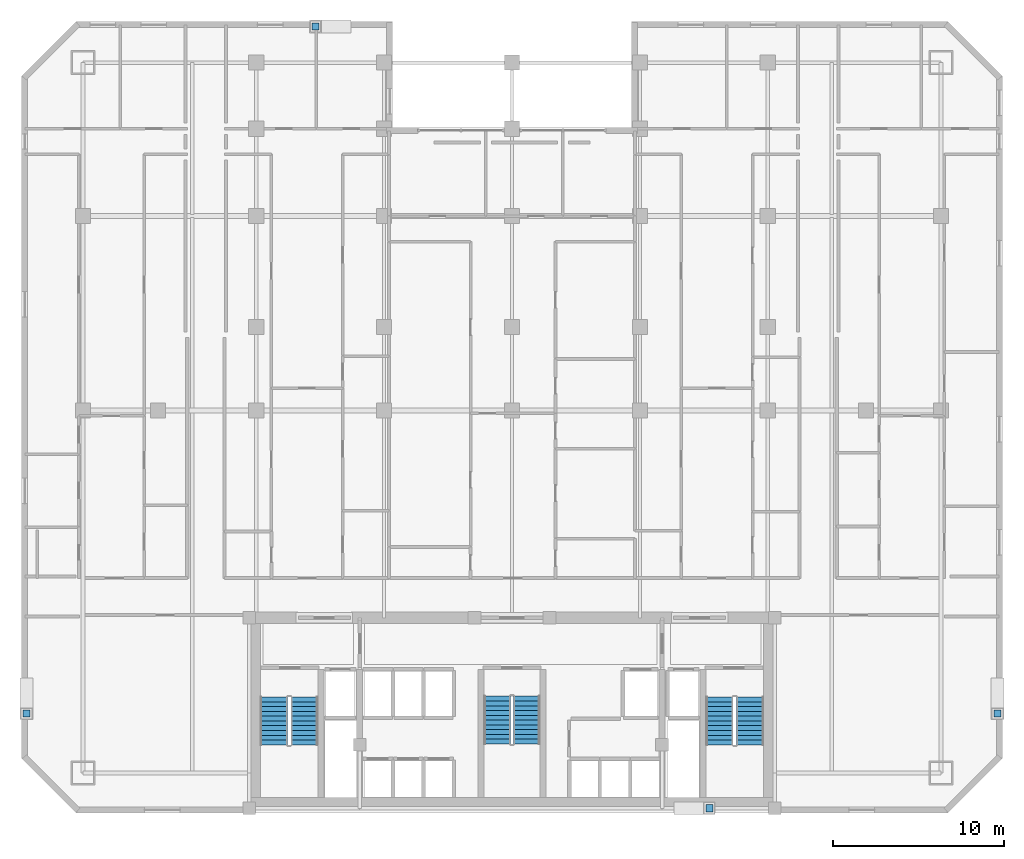
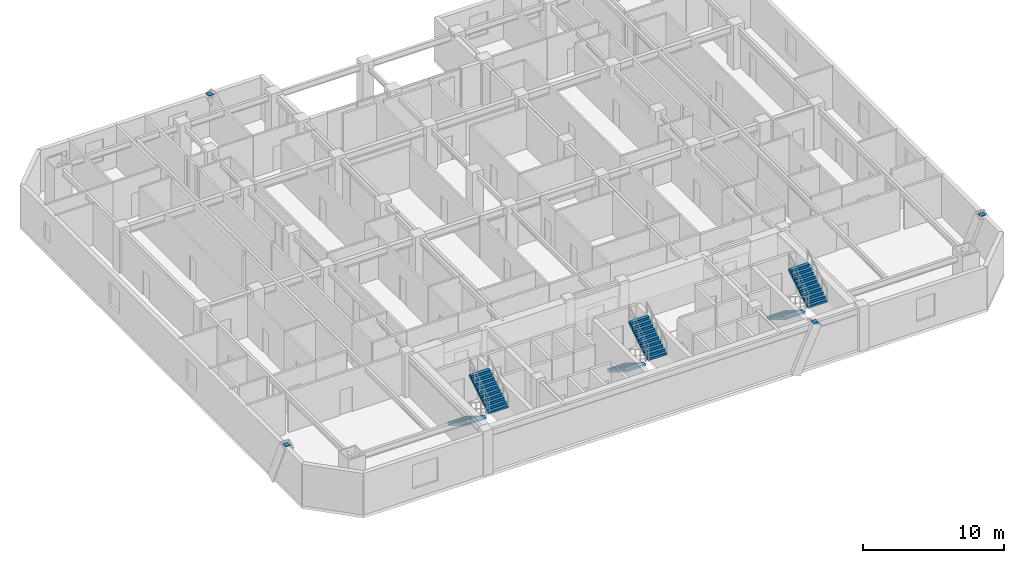
# One storey, part 13 of 14: 6 stair flights, 4 discrete accessories, 3 elements without a shape of their own.
"""IFC4 building model written with IfcOpenShell, lengths in metres."""

import ifcopenshell
import ifcopenshell.guid

model = None  # the IFC model being written
_history = None  # IfcOwnerHistory: only IFC2X3 demands one
_inside = {}  # id of a spatial element -> (the spatial element, [elements in it])
_under = {}  # id of a project, library or spatial element -> (it, [spatial elements below it])
_declared = {}  # id of a project -> (the project, [libraries it declares])
_typed = {}  # id of a type object -> (the type object, [elements of that type])
_made_of = {}  # id of a material, layer set ... -> (it, [elements and type objects made of it])


def new_model(schema):
    """Start an empty IFC model of exactly this schema.

    Asked for "IFC4X3", IfcOpenShell would pick the latest addendum, in which some entities
    have other attributes; the version numbers below select the first issue.
    IFC2X3 requires an IfcOwnerHistory on every rooted entity: one is made here for all.
    """
    global model, _history
    if schema == "IFC4X3":
        model = ifcopenshell.file(schema_version=(4, 3, 0, 0))
    else:
        model = ifcopenshell.file(schema=schema)
    _inside.clear()
    _under.clear()
    _declared.clear()
    _typed.clear()
    _made_of.clear()
    _history = None
    if model.schema == "IFC2X3":
        org = make("IfcOrganization", Name="unknown")
        user = make(
            "IfcPersonAndOrganization",
            ThePerson=make("IfcPerson", FamilyName="unknown"),
            TheOrganization=org,
        )
        app = make(
            "IfcApplication",
            ApplicationDeveloper=org,
            Version="unknown",
            ApplicationFullName="unknown",
            ApplicationIdentifier="unknown",
        )
        _history = make(
            "IfcOwnerHistory",
            OwningUser=user,
            OwningApplication=app,
            ChangeAction="ADDED",
            CreationDate=0,
        )
    return model


def make(cls, **values):
    """One entity of the class cls with the attributes given. An attribute that is None is left unset."""
    return model.create_entity(
        cls, **{name: value for name, value in values.items() if value is not None}
    )


def rooted(cls, **values):
    """An entity with a GlobalId (a new one), such as an element, a storey or a relation."""
    return make(cls, GlobalId=ifcopenshell.guid.new(), OwnerHistory=_history, **values)


def si_unit(unit_type, name, prefix=None):
    """IfcSIUnit, for example si_unit("LENGTHUNIT", "METRE", prefix="MILLI")."""
    return make("IfcSIUnit", UnitType=unit_type, Prefix=prefix, Name=name)


def assignment(units):
    """IfcUnitAssignment: the units of a project."""
    return None if units is None else make("IfcUnitAssignment", Units=units)


def point(xyz):
    """IfcCartesianPoint."""
    return None if xyz is None else make("IfcCartesianPoint", Coordinates=xyz)


def direction(xyz):
    """IfcDirection."""
    return None if xyz is None else make("IfcDirection", DirectionRatios=xyz)


def frame(location, z_axis=None, x_axis=None):
    """IfcAxis2Placement3D, a coordinate frame: its origin and axes. An axis left out is left unset."""
    return make(
        "IfcAxis2Placement3D",
        Location=point(location),
        Axis=direction(z_axis),
        RefDirection=direction(x_axis),
    )


def frame_2d(location, x_axis=None):
    """IfcAxis2Placement2D, a coordinate frame in the plane: its origin and x axis."""
    return make(
        "IfcAxis2Placement2D", Location=point(location), RefDirection=direction(x_axis)
    )


def origin():
    """The frame at (0, 0, 0) with its axes left unset."""
    return frame((0.0, 0.0, 0.0))


def origin_2d():
    """The frame at (0, 0) in the plane with its x axis left unset."""
    return frame_2d((0.0, 0.0))


def place(relative_to, where):
    """IfcLocalPlacement: puts the frame where relative to a parent placement (None: the world)."""
    return make(
        "IfcLocalPlacement", PlacementRelTo=relative_to, RelativePlacement=where
    )


def context(
    kind, dimensions, precision=None, world=None, true_north=None, identifier=None
):
    """IfcGeometricRepresentationContext, for example the 3D "Model" context."""
    return make(
        "IfcGeometricRepresentationContext",
        ContextIdentifier=identifier,
        ContextType=kind,
        CoordinateSpaceDimension=dimensions,
        Precision=precision,
        WorldCoordinateSystem=world,
        TrueNorth=true_north,
    )


def subcontext(parent, identifier, kind, view, scale=None):
    """IfcGeometricRepresentationSubContext, for example "Body" below "Model"."""
    return make(
        "IfcGeometricRepresentationSubContext",
        ContextIdentifier=identifier,
        ContextType=kind,
        ParentContext=parent,
        TargetScale=scale,
        TargetView=view,
    )


def project(units=None, contexts=None):
    """IfcProject with its units and contexts."""
    return rooted(
        "IfcProject",
        Name="project",
        RepresentationContexts=contexts,
        UnitsInContext=assignment(units),
    )


def spatial(cls, under=None, at=None, **own):
    """A site, building, storey or space (cls), placed at a placement, below another one or the project."""
    s = rooted(cls, ObjectPlacement=at, **own)
    if under is not None:
        _under.setdefault(under.id(), (under, []))[1].append(s)
    return s


def polyline(points):
    """IfcPolyline through the points."""
    return make("IfcPolyline", Points=[point(p) for p in points])


def profile(cls, at=None, kind="AREA", **sizes):
    """A parametric profile (cls). Its sizes go by their IFC names, for example OverallWidth=200.0."""
    return make(cls, ProfileType=kind, Position=at, **sizes)


def rectangle(**sizes):
    """IfcRectangleProfileDef."""
    return profile("IfcRectangleProfileDef", **sizes)


def outline(outer, holes=None, kind="AREA"):
    """IfcArbitraryClosedProfileDef: a profile drawn as a closed curve; with holes, ...WithVoids."""
    if holes is None:
        return make("IfcArbitraryClosedProfileDef", ProfileType=kind, OuterCurve=outer)
    return make(
        "IfcArbitraryProfileDefWithVoids",
        ProfileType=kind,
        OuterCurve=outer,
        InnerCurves=holes,
    )


def extrude(swept, where, along, depth):
    """IfcExtrudedAreaSolid: the profile swept, set in the frame where, extruded along a direction by depth."""
    return make(
        "IfcExtrudedAreaSolid",
        SweptArea=swept,
        Position=where,
        ExtrudedDirection=direction(along),
        Depth=depth,
    )


def shape(context_of_items, identifier, shape_type, items):
    """IfcShapeRepresentation: the items that make up one representation, for example the "Body"."""
    return make(
        "IfcShapeRepresentation",
        ContextOfItems=context_of_items,
        RepresentationIdentifier=identifier,
        RepresentationType=shape_type,
        Items=items,
    )


def material(Name=None, Category=None):
    """IfcMaterial."""
    return make("IfcMaterial", Name=Name, Category=Category)


def made_of(thing, what):
    """Note that an element or type object is made of a material, layer set ...; save() writes the relation."""
    if what is not None:
        _made_of.setdefault(what.id(), (what, []))[1].append(thing)
    return thing


def type_object(cls, material=None, **own):
    """A type object (cls), such as IfcWallType, which elements share."""
    return made_of(rooted(cls, **own), material)


def element(
    cls,
    number,
    at=None,
    inside=None,
    cuts=None,
    type_object=None,
    material=None,
    context=None,
    identifier="Body",
    shape_type=None,
    held_by="IfcProductDefinitionShape",
    body=None,
    shapes=None,
    **own,
):
    """One element of the class cls, such as IfcWall. Its Tag is "e" and its number.

    at: its placement. inside: the storey or other place that contains it. cuts: it is an
    opening in that element (IfcRelVoidsElement). A single representation is given by context,
    identifier, shape_type and body (its items); several are given by shapes. held_by: the class
    of the entity that holds the representations. save() writes the other relations.
    """
    e = rooted(cls, Tag="e%d" % number, ObjectPlacement=at, **own)
    if body is not None:
        shapes = [shape(context, identifier, shape_type, body)]
    if shapes is not None:
        e.Representation = make(held_by, Representations=shapes)
    if inside is not None:
        _inside.setdefault(inside.id(), (inside, []))[1].append(e)
    if cuts is not None:
        rooted(
            "IfcRelVoidsElement", RelatingBuildingElement=cuts, RelatedOpeningElement=e
        )
    if type_object is not None:
        _typed.setdefault(type_object.id(), (type_object, []))[1].append(e)
    return made_of(e, material)


def aggregate(whole, parts):
    """IfcRelAggregates: a whole, such as a stair, and the parts it consists of."""
    return rooted("IfcRelAggregates", RelatingObject=whole, RelatedObjects=parts)


def save(model, path):
    """Write the relations noted so far, then the file.

    IfcRelAggregates (storeys below a building ...), IfcRelContainedInSpatialStructure (elements
    in a storey), IfcRelDefinesByType, IfcRelAssociatesMaterial and IfcRelDeclares: one each for
    every whole, place, type object, material and project.
    """
    for whole, parts in _under.values():
        aggregate(whole, parts)
    for where, things in _inside.values():
        rooted(
            "IfcRelContainedInSpatialStructure",
            RelatedElements=things,
            RelatingStructure=where,
        )
    for kind, things in _typed.values():
        rooted("IfcRelDefinesByType", RelatedObjects=things, RelatingType=kind)
    for what, things in _made_of.values():
        rooted("IfcRelAssociatesMaterial", RelatedObjects=things, RelatingMaterial=what)
    for by, libraries in _declared.values():
        rooted("IfcRelDeclares", RelatingContext=by, RelatedDefinitions=libraries)
    model.write(path)


model = new_model("IFC4")

# Units and contexts
model_context = context("Model", 3, precision=1e-05, world=origin(), true_north=direction((0.0, 1.0)))
body_context = subcontext(model_context, "Body", "Model", "MODEL_VIEW")
ifc_project = project(units=[si_unit("LENGTHUNIT", "METRE"), si_unit("AREAUNIT", "SQUARE_METRE"), si_unit("VOLUMEUNIT", "CUBIC_METRE"), si_unit("PLANEANGLEUNIT", "RADIAN"), si_unit("MASSUNIT", "GRAM", prefix="KILO")], contexts=[model_context])

# Site, building, storey
site_placement = place(None, origin())
site = spatial("IfcSite", under=ifc_project, at=site_placement, CompositionType="ELEMENT")
building_placement = place(site_placement, origin())
building = spatial("IfcBuilding", under=site, at=building_placement, Name="Ventersveld Concourse Tower", CompositionType="ELEMENT")
storey_placement = place(building_placement, frame((0.0, 0.0, 81.050048828125)))
storey = spatial("IfcBuildingStorey", under=building, at=storey_placement, Name="L19", CompositionType="ELEMENT", Elevation=81.050048828125)

# Stair, stair flights
ifc_material_1 = material(Name="Concrete C50/60", Category="concrete")
stair_type_1 = type_object("IfcStairType", Name="ST-DOG-155", PredefinedType="HALF_TURN_STAIR", material=ifc_material_1)
stair_1_placement = place(storey_placement, origin())
stair_1 = element("IfcStair", 1, at=stair_1_placement, inside=storey, type_object=stair_type_1, Name="L19 Protected Central Core Escape Stair ST-03", PredefinedType="HALF_TURN_STAIR")
stair_flight_type_1 = type_object("IfcStairFlightType", Name="STF-RC-155", PredefinedType="STRAIGHT", material=ifc_material_1)
stair_flight_1_placement = place(storey_placement, frame((27.875, 6.85009765625, 0.0), z_axis=(0.0, 0.0, 1.0), x_axis=(0.0, -1.0, 0.0)))
stair_flight_1 = element("IfcStairFlight", 2, at=stair_flight_1_placement, type_object=stair_flight_type_1, Name="ST-03 flight 1", NumberOfRisers=11, NumberOfTreads=10, PredefinedType="STRAIGHT", RiserHeight=0.175, TreadLength=0.28, context=body_context, shape_type="SweptSolid", body=[
    extrude(outline(polyline([(0.0, 0.0), (0.0, 0.175048828125), (0.280029296875, 0.175048828125), (0.280029296875, 0.35009765625), (0.56005859375, 0.35009765625), (0.56005859375, 0.52490234375), (0.840087890625, 0.52490234375), (0.840087890625, 0.699951171875), (1.1201171875, 0.699951171875), (1.1201171875, 0.875), (1.39990234375, 0.875), (1.39990234375, 1.050048828125), (1.679931640625, 1.050048828125), (1.679931640625, 1.22509765625), (1.9599609375, 1.22509765625), (1.9599609375, 1.39990234375), (2.239990234375, 1.39990234375), (2.239990234375, 1.574951171875), (2.52001953125, 1.574951171875), (2.52001953125, 1.75), (2.800048828125, 1.75), (2.800048828125, 1.925048828125), (2.800048828125, 1.5732421875), (0.28271484375, 0.0), (0.0, 0.0)])), frame((0.0, 0.77490234375, 0.0), z_axis=(0.0, -1.0, 0.0), x_axis=(1.0, 0.0, 0.0)), (0.0, 0.0, 1.0), 1.550048828125),
])
stair_flight_2_placement = place(storey_placement, frame((29.625, 4.050048828125, 1.925048828125), z_axis=(0.0, 0.0, 1.0), x_axis=(0.0, 1.0, 0.0)))
stair_flight_2 = element("IfcStairFlight", 3, at=stair_flight_2_placement, type_object=stair_flight_type_1, Name="ST-03 flight 2", NumberOfRisers=11, NumberOfTreads=10, PredefinedType="STRAIGHT", RiserHeight=0.175, TreadLength=0.28, context=body_context, shape_type="SweptSolid", body=[
    extrude(outline(polyline([(0.0, 0.0), (0.0, 0.175048828125), (0.280029296875, 0.175048828125), (0.280029296875, 0.35009765625), (0.56005859375, 0.35009765625), (0.56005859375, 0.52490234375), (0.840087890625, 0.52490234375), (0.840087890625, 0.699951171875), (1.1201171875, 0.699951171875), (1.1201171875, 0.875), (1.39990234375, 0.875), (1.39990234375, 1.050048828125), (1.679931640625, 1.050048828125), (1.679931640625, 1.22509765625), (1.9599609375, 1.22509765625), (1.9599609375, 1.39990234375), (2.239990234375, 1.39990234375), (2.239990234375, 1.574951171875), (2.52001953125, 1.574951171875), (2.52001953125, 1.75), (2.800048828125, 1.75), (2.800048828125, 1.925048828125), (2.800048828125, 1.5732421875), (0.28271484375, 0.0), (0.0, 0.0)])), frame((0.0, 0.77490234375, 0.0), z_axis=(0.0, -1.0, 0.0), x_axis=(1.0, 0.0, 0.0)), (0.0, 0.0, 1.0), 1.550048828125),
])
aggregate(stair_1, [stair_flight_1, stair_flight_2])

stair_type_2 = type_object("IfcStairType", Name="ST-DOG-160", PredefinedType="HALF_TURN_STAIR", material=ifc_material_1)
stair_2_placement = place(storey_placement, origin())
stair_2 = element("IfcStair", 4, at=stair_2_placement, inside=storey, type_object=stair_type_2, Name="L19 Protected Tower Escape Stair ST-01", PredefinedType="HALF_TURN_STAIR")
stair_flight_type_2 = type_object("IfcStairFlightType", Name="STF-RC-160", PredefinedType="STRAIGHT", material=ifc_material_1)
stair_flight_3_placement = place(storey_placement, frame((14.780029296875, 6.800048828125, 0.0), z_axis=(0.0, 0.0, 1.0), x_axis=(0.0, -1.0, 0.0)))
stair_flight_3 = element("IfcStairFlight", 5, at=stair_flight_3_placement, type_object=stair_flight_type_2, Name="ST-01 flight 1", NumberOfRisers=11, NumberOfTreads=10, PredefinedType="STRAIGHT", RiserHeight=0.175, TreadLength=0.28, context=body_context, shape_type="SweptSolid", body=[
    extrude(outline(polyline([(0.0, 0.0), (0.0, 0.175048828125), (0.280029296875, 0.175048828125), (0.280029296875, 0.35009765625), (0.56005859375, 0.35009765625), (0.56005859375, 0.52490234375), (0.840087890625, 0.52490234375), (0.840087890625, 0.699951171875), (1.1201171875, 0.699951171875), (1.1201171875, 0.875), (1.39990234375, 0.875), (1.39990234375, 1.050048828125), (1.679931640625, 1.050048828125), (1.679931640625, 1.22509765625), (1.9599609375, 1.22509765625), (1.9599609375, 1.39990234375), (2.239990234375, 1.39990234375), (2.239990234375, 1.574951171875), (2.52001953125, 1.574951171875), (2.52001953125, 1.75), (2.800048828125, 1.75), (2.800048828125, 1.925048828125), (2.800048828125, 1.5732421875), (0.28271484375, 0.0), (0.0, 0.0)])), frame((0.0, 0.800048828125, 0.0), z_axis=(0.0, -1.0, 0.0), x_axis=(1.0, 0.0, 0.0)), (0.0, 0.0, 1.0), 1.60009765625),
])
stair_flight_4_placement = place(storey_placement, frame((16.580078125, 4.0, 1.925048828125), z_axis=(0.0, 0.0, 1.0), x_axis=(0.0, 1.0, 0.0)))
stair_flight_4 = element("IfcStairFlight", 6, at=stair_flight_4_placement, type_object=stair_flight_type_2, Name="ST-01 flight 2", NumberOfRisers=11, NumberOfTreads=10, PredefinedType="STRAIGHT", RiserHeight=0.175, TreadLength=0.28, context=body_context, shape_type="SweptSolid", body=[
    extrude(outline(polyline([(0.0, 0.0), (0.0, 0.175048828125), (0.280029296875, 0.175048828125), (0.280029296875, 0.35009765625), (0.56005859375, 0.35009765625), (0.56005859375, 0.52490234375), (0.840087890625, 0.52490234375), (0.840087890625, 0.699951171875), (1.1201171875, 0.699951171875), (1.1201171875, 0.875), (1.39990234375, 0.875), (1.39990234375, 1.050048828125), (1.679931640625, 1.050048828125), (1.679931640625, 1.22509765625), (1.9599609375, 1.22509765625), (1.9599609375, 1.39990234375), (2.239990234375, 1.39990234375), (2.239990234375, 1.574951171875), (2.52001953125, 1.574951171875), (2.52001953125, 1.75), (2.800048828125, 1.75), (2.800048828125, 1.925048828125), (2.800048828125, 1.5732421875), (0.28271484375, 0.0), (0.0, 0.0)])), frame((0.0, 0.800048828125, 0.0), z_axis=(0.0, -1.0, 0.0), x_axis=(1.0, 0.0, 0.0)), (0.0, 0.0, 1.0), 1.60009765625),
])
aggregate(stair_2, [stair_flight_3, stair_flight_4])

stair_3_placement = place(storey_placement, origin())
stair_3 = element("IfcStair", 7, at=stair_3_placement, inside=storey, type_object=stair_type_2, Name="L19 Protected Tower Escape Stair ST-02", PredefinedType="HALF_TURN_STAIR")
stair_flight_5_placement = place(storey_placement, frame((40.919921875, 6.800048828125, 0.0), z_axis=(0.0, 0.0, 1.0), x_axis=(0.0, -1.0, 0.0)))
stair_flight_5 = element("IfcStairFlight", 8, at=stair_flight_5_placement, type_object=stair_flight_type_2, Name="ST-02 flight 1", NumberOfRisers=11, NumberOfTreads=10, PredefinedType="STRAIGHT", RiserHeight=0.175, TreadLength=0.28, context=body_context, shape_type="SweptSolid", body=[
    extrude(outline(polyline([(0.0, 0.0), (0.0, 0.175048828125), (0.280029296875, 0.175048828125), (0.280029296875, 0.35009765625), (0.56005859375, 0.35009765625), (0.56005859375, 0.52490234375), (0.840087890625, 0.52490234375), (0.840087890625, 0.699951171875), (1.1201171875, 0.699951171875), (1.1201171875, 0.875), (1.39990234375, 0.875), (1.39990234375, 1.050048828125), (1.679931640625, 1.050048828125), (1.679931640625, 1.22509765625), (1.9599609375, 1.22509765625), (1.9599609375, 1.39990234375), (2.239990234375, 1.39990234375), (2.239990234375, 1.574951171875), (2.52001953125, 1.574951171875), (2.52001953125, 1.75), (2.800048828125, 1.75), (2.800048828125, 1.925048828125), (2.800048828125, 1.5732421875), (0.28271484375, 0.0), (0.0, 0.0)])), frame((0.0, 0.800048828125, 0.0), z_axis=(0.0, -1.0, 0.0), x_axis=(1.0, 0.0, 0.0)), (0.0, 0.0, 1.0), 1.60009765625),
])
stair_flight_6_placement = place(storey_placement, frame((42.719970703125, 4.0, 1.925048828125), z_axis=(0.0, 0.0, 1.0), x_axis=(0.0, 1.0, 0.0)))
stair_flight_6 = element("IfcStairFlight", 9, at=stair_flight_6_placement, type_object=stair_flight_type_2, Name="ST-02 flight 2", NumberOfRisers=11, NumberOfTreads=10, PredefinedType="STRAIGHT", RiserHeight=0.175, TreadLength=0.28, context=body_context, shape_type="SweptSolid", body=[
    extrude(outline(polyline([(0.0, 0.0), (0.0, 0.175048828125), (0.280029296875, 0.175048828125), (0.280029296875, 0.35009765625), (0.56005859375, 0.35009765625), (0.56005859375, 0.52490234375), (0.840087890625, 0.52490234375), (0.840087890625, 0.699951171875), (1.1201171875, 0.699951171875), (1.1201171875, 0.875), (1.39990234375, 0.875), (1.39990234375, 1.050048828125), (1.679931640625, 1.050048828125), (1.679931640625, 1.22509765625), (1.9599609375, 1.22509765625), (1.9599609375, 1.39990234375), (2.239990234375, 1.39990234375), (2.239990234375, 1.574951171875), (2.52001953125, 1.574951171875), (2.52001953125, 1.75), (2.800048828125, 1.75), (2.800048828125, 1.925048828125), (2.800048828125, 1.5732421875), (0.28271484375, 0.0), (0.0, 0.0)])), frame((0.0, 0.800048828125, 0.0), z_axis=(0.0, -1.0, 0.0), x_axis=(1.0, 0.0, 0.0)), (0.0, 0.0, 1.0), 1.60009765625),
])
aggregate(stair_3, [stair_flight_5, stair_flight_6])

# Discrete accessories
ifc_material_2 = material(Name="Structural steel S355J2", Category="steel")
discrete_accessory_type = type_object("IfcDiscreteAccessoryType", Name="CONN-BRACE-ECP1", PredefinedType="BRACKET", material=ifc_material_2)
for number, where, z_axis, x_axis, name in (
    (10, (17.22900390625, 46.1201171875, 3.579833984375), (0.0, 0.0, 1.0), (1.0, 0.0, 0.0), "L19 Steel Brace End Connection Plate ECP1-0250"),
    (11, (40.321044921875, 0.280029296875, 3.579833984375), (0.0, 0.0, 1.0), (1.0, 0.0, 0.0), "L19 Steel Brace End Connection Plate ECP1-0254"),
    (12, (0.280029296875, 5.828857421875, 3.579833984375), (0.0, 0.0, 1.0), (1.0, 0.0, 0.0), "L19 Steel Brace End Connection Plate ECP1-0258"),
    (13, (57.219970703125, 5.828857421875, 3.579833984375), (0.0, 0.0, 1.0), (1.0, 0.0, 0.0), "L19 Steel Brace End Connection Plate ECP1-0262"),
):
    element("IfcDiscreteAccessory", number, at=place(storey_placement, frame(where, z_axis=z_axis, x_axis=x_axis)), inside=storey, type_object=discrete_accessory_type, Name=name, PredefinedType="BRACKET", context=body_context, shape_type="SweptSolid", body=[
        extrude(rectangle(XDim=0.419921875, YDim=0.419921875, at=origin_2d()), origin(), (0.0, 0.0, 1.0), 0.0400390625),
    ])

save(model, "model.ifc")
